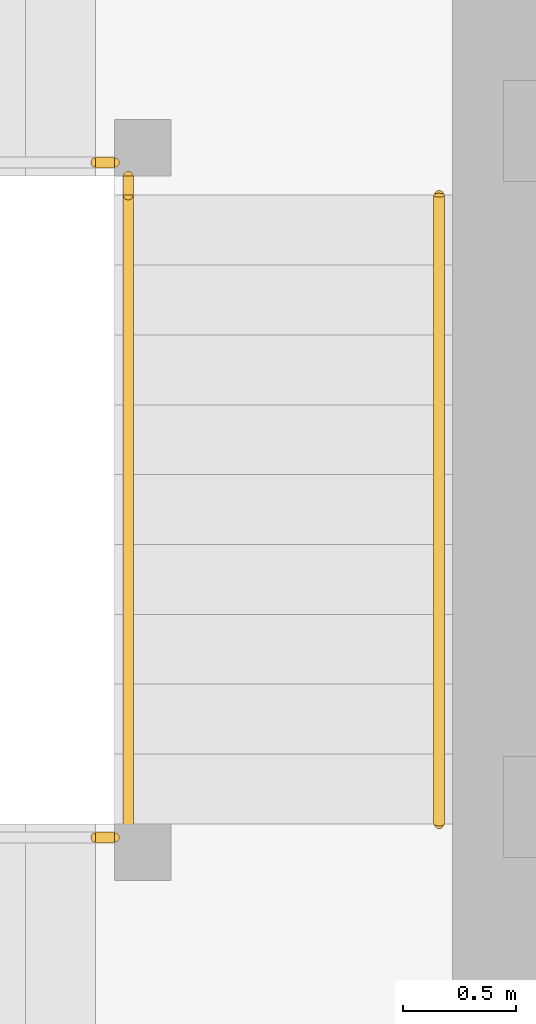
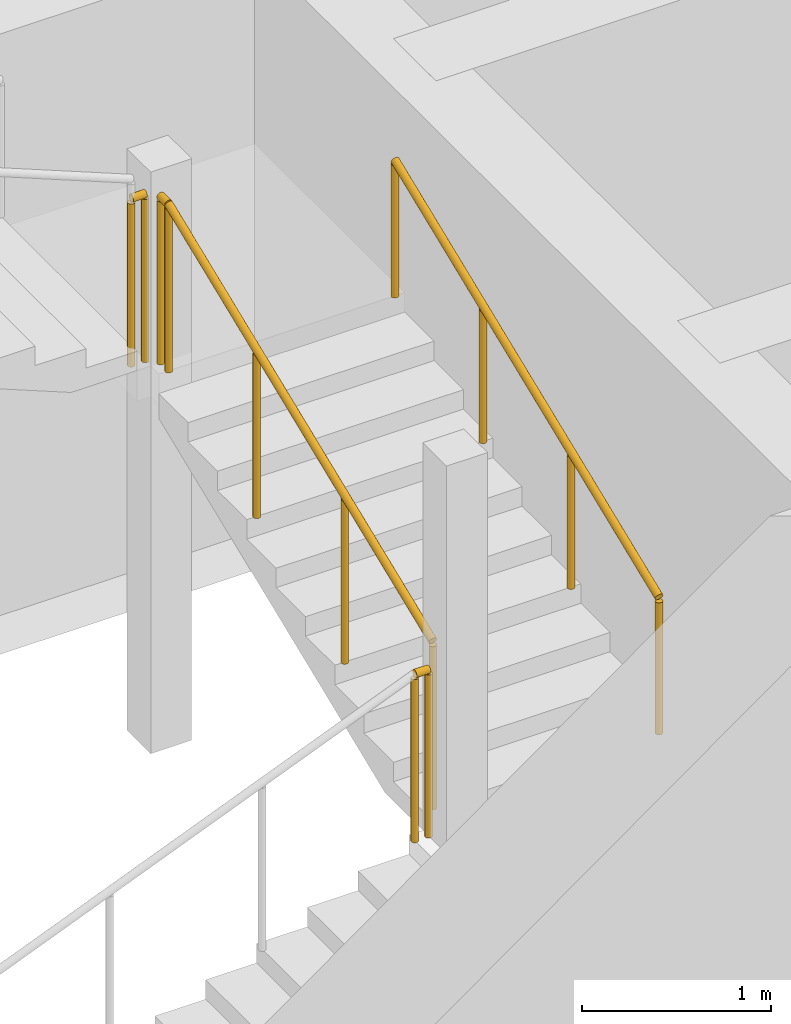
# One storey, part 34 of 38: 5 railings.
"""IFC4 building model written with IfcOpenShell, lengths in metres."""

import ifcopenshell
import ifcopenshell.guid

model = None  # the IFC model being written
_history = None  # IfcOwnerHistory: only IFC2X3 demands one
_inside = {}  # id of a spatial element -> (the spatial element, [elements in it])
_under = {}  # id of a project, library or spatial element -> (it, [spatial elements below it])
_declared = {}  # id of a project -> (the project, [libraries it declares])
_typed = {}  # id of a type object -> (the type object, [elements of that type])
_made_of = {}  # id of a material, layer set ... -> (it, [elements and type objects made of it])


def new_model(schema):
    """Start an empty IFC model of exactly this schema.

    Asked for "IFC4X3", IfcOpenShell would pick the latest addendum, in which some entities
    have other attributes; the version numbers below select the first issue.
    IFC2X3 requires an IfcOwnerHistory on every rooted entity: one is made here for all.
    """
    global model, _history
    if schema == "IFC4X3":
        model = ifcopenshell.file(schema_version=(4, 3, 0, 0))
    else:
        model = ifcopenshell.file(schema=schema)
    _inside.clear()
    _under.clear()
    _declared.clear()
    _typed.clear()
    _made_of.clear()
    _history = None
    if model.schema == "IFC2X3":
        org = make("IfcOrganization", Name="unknown")
        user = make(
            "IfcPersonAndOrganization",
            ThePerson=make("IfcPerson", FamilyName="unknown"),
            TheOrganization=org,
        )
        app = make(
            "IfcApplication",
            ApplicationDeveloper=org,
            Version="unknown",
            ApplicationFullName="unknown",
            ApplicationIdentifier="unknown",
        )
        _history = make(
            "IfcOwnerHistory",
            OwningUser=user,
            OwningApplication=app,
            ChangeAction="ADDED",
            CreationDate=0,
        )
    return model


def make(cls, **values):
    """One entity of the class cls with the attributes given. An attribute that is None is left unset."""
    return model.create_entity(
        cls, **{name: value for name, value in values.items() if value is not None}
    )


def rooted(cls, **values):
    """An entity with a GlobalId (a new one), such as an element, a storey or a relation."""
    return make(cls, GlobalId=ifcopenshell.guid.new(), OwnerHistory=_history, **values)


def si_unit(unit_type, name, prefix=None):
    """IfcSIUnit, for example si_unit("LENGTHUNIT", "METRE", prefix="MILLI")."""
    return make("IfcSIUnit", UnitType=unit_type, Prefix=prefix, Name=name)


def assignment(units):
    """IfcUnitAssignment: the units of a project."""
    return None if units is None else make("IfcUnitAssignment", Units=units)


def point(xyz):
    """IfcCartesianPoint."""
    return None if xyz is None else make("IfcCartesianPoint", Coordinates=xyz)


def direction(xyz):
    """IfcDirection."""
    return None if xyz is None else make("IfcDirection", DirectionRatios=xyz)


def frame(location, z_axis=None, x_axis=None):
    """IfcAxis2Placement3D, a coordinate frame: its origin and axes. An axis left out is left unset."""
    return make(
        "IfcAxis2Placement3D",
        Location=point(location),
        Axis=direction(z_axis),
        RefDirection=direction(x_axis),
    )


def frame_2d(location, x_axis=None):
    """IfcAxis2Placement2D, a coordinate frame in the plane: its origin and x axis."""
    return make(
        "IfcAxis2Placement2D", Location=point(location), RefDirection=direction(x_axis)
    )


def origin():
    """The frame at (0, 0, 0) with its axes left unset."""
    return frame((0.0, 0.0, 0.0))


def origin_2d():
    """The frame at (0, 0) in the plane with its x axis left unset."""
    return frame_2d((0.0, 0.0))


def place(relative_to, where):
    """IfcLocalPlacement: puts the frame where relative to a parent placement (None: the world)."""
    return make(
        "IfcLocalPlacement", PlacementRelTo=relative_to, RelativePlacement=where
    )


def context(
    kind, dimensions, precision=None, world=None, true_north=None, identifier=None
):
    """IfcGeometricRepresentationContext, for example the 3D "Model" context."""
    return make(
        "IfcGeometricRepresentationContext",
        ContextIdentifier=identifier,
        ContextType=kind,
        CoordinateSpaceDimension=dimensions,
        Precision=precision,
        WorldCoordinateSystem=world,
        TrueNorth=true_north,
    )


def subcontext(parent, identifier, kind, view, scale=None):
    """IfcGeometricRepresentationSubContext, for example "Body" below "Model"."""
    return make(
        "IfcGeometricRepresentationSubContext",
        ContextIdentifier=identifier,
        ContextType=kind,
        ParentContext=parent,
        TargetScale=scale,
        TargetView=view,
    )


def project(units=None, contexts=None):
    """IfcProject with its units and contexts."""
    return rooted(
        "IfcProject",
        Name="project",
        RepresentationContexts=contexts,
        UnitsInContext=assignment(units),
    )


def spatial(cls, under=None, at=None, **own):
    """A site, building, storey or space (cls), placed at a placement, below another one or the project."""
    s = rooted(cls, ObjectPlacement=at, **own)
    if under is not None:
        _under.setdefault(under.id(), (under, []))[1].append(s)
    return s


def profile(cls, at=None, kind="AREA", **sizes):
    """A parametric profile (cls). Its sizes go by their IFC names, for example OverallWidth=200.0."""
    return make(cls, ProfileType=kind, Position=at, **sizes)


def circle(**sizes):
    """IfcCircleProfileDef."""
    return profile("IfcCircleProfileDef", **sizes)


def extrude(swept, where, along, depth):
    """IfcExtrudedAreaSolid: the profile swept, set in the frame where, extruded along a direction by depth."""
    return make(
        "IfcExtrudedAreaSolid",
        SweptArea=swept,
        Position=where,
        ExtrudedDirection=direction(along),
        Depth=depth,
    )


def shape(context_of_items, identifier, shape_type, items):
    """IfcShapeRepresentation: the items that make up one representation, for example the "Body"."""
    return make(
        "IfcShapeRepresentation",
        ContextOfItems=context_of_items,
        RepresentationIdentifier=identifier,
        RepresentationType=shape_type,
        Items=items,
    )


def material(Name=None, Category=None):
    """IfcMaterial."""
    return make("IfcMaterial", Name=Name, Category=Category)


def made_of(thing, what):
    """Note that an element or type object is made of a material, layer set ...; save() writes the relation."""
    if what is not None:
        _made_of.setdefault(what.id(), (what, []))[1].append(thing)
    return thing


def type_object(cls, material=None, **own):
    """A type object (cls), such as IfcWallType, which elements share."""
    return made_of(rooted(cls, **own), material)


def element(
    cls,
    number,
    at=None,
    inside=None,
    cuts=None,
    type_object=None,
    material=None,
    context=None,
    identifier="Body",
    shape_type=None,
    held_by="IfcProductDefinitionShape",
    body=None,
    shapes=None,
    **own,
):
    """One element of the class cls, such as IfcWall. Its Tag is "e" and its number.

    at: its placement. inside: the storey or other place that contains it. cuts: it is an
    opening in that element (IfcRelVoidsElement). A single representation is given by context,
    identifier, shape_type and body (its items); several are given by shapes. held_by: the class
    of the entity that holds the representations. save() writes the other relations.
    """
    e = rooted(cls, Tag="e%d" % number, ObjectPlacement=at, **own)
    if body is not None:
        shapes = [shape(context, identifier, shape_type, body)]
    if shapes is not None:
        e.Representation = make(held_by, Representations=shapes)
    if inside is not None:
        _inside.setdefault(inside.id(), (inside, []))[1].append(e)
    if cuts is not None:
        rooted(
            "IfcRelVoidsElement", RelatingBuildingElement=cuts, RelatedOpeningElement=e
        )
    if type_object is not None:
        _typed.setdefault(type_object.id(), (type_object, []))[1].append(e)
    return made_of(e, material)


def aggregate(whole, parts):
    """IfcRelAggregates: a whole, such as a stair, and the parts it consists of."""
    return rooted("IfcRelAggregates", RelatingObject=whole, RelatedObjects=parts)


def save(model, path):
    """Write the relations noted so far, then the file.

    IfcRelAggregates (storeys below a building ...), IfcRelContainedInSpatialStructure (elements
    in a storey), IfcRelDefinesByType, IfcRelAssociatesMaterial and IfcRelDeclares: one each for
    every whole, place, type object, material and project.
    """
    for whole, parts in _under.values():
        aggregate(whole, parts)
    for where, things in _inside.values():
        rooted(
            "IfcRelContainedInSpatialStructure",
            RelatedElements=things,
            RelatingStructure=where,
        )
    for kind, things in _typed.values():
        rooted("IfcRelDefinesByType", RelatedObjects=things, RelatingType=kind)
    for what, things in _made_of.values():
        rooted("IfcRelAssociatesMaterial", RelatedObjects=things, RelatingMaterial=what)
    for by, libraries in _declared.values():
        rooted("IfcRelDeclares", RelatingContext=by, RelatedDefinitions=libraries)
    model.write(path)


model = new_model("IFC4")

# Units and contexts
model_context = context("Model", 3, precision=1e-05, world=origin(), true_north=direction((0.0, 1.0)))
body_context = subcontext(model_context, "Body", "Model", "MODEL_VIEW")
ifc_project = project(units=[si_unit("LENGTHUNIT", "METRE"), si_unit("AREAUNIT", "SQUARE_METRE"), si_unit("VOLUMEUNIT", "CUBIC_METRE"), si_unit("PLANEANGLEUNIT", "RADIAN"), si_unit("MASSUNIT", "GRAM", prefix="KILO")], contexts=[model_context])

# Site, building, storey
site_placement = place(None, origin())
site = spatial("IfcSite", under=ifc_project, at=site_placement, CompositionType="ELEMENT")
building_placement = place(site_placement, origin())
building = spatial("IfcBuilding", under=site, at=building_placement, Name="Rekha Terrace Tower", CompositionType="ELEMENT")
storey_placement = place(building_placement, frame((0.0, 0.0, 159.050048828125)))
storey = spatial("IfcBuildingStorey", under=building, at=storey_placement, Name="L40", CompositionType="ELEMENT", Elevation=159.050048828125)

# Railings
ifc_material_1 = material(Name="Stainless steel balustrade", Category="steel")
railing_type_1 = type_object("IfcRailingType", Name="GR1 1100 stair guard", PredefinedType="GUARDRAIL", material=ifc_material_1)
railing_1_placement = place(storey_placement, frame((30.135009765625, 41.324951171875, 1.375)))
element("IfcRailing", 1, at=railing_1_placement, inside=storey, type_object=railing_type_1, Name="Guard ST4 L40 flight 2", PredefinedType="GUARDRAIL", context=body_context, shape_type="SweptSolid", body=[
    extrude(circle(Radius=0.02392578125, at=origin_2d()), frame((0.0, 0.0, 1.076171875), z_axis=(0.0, 0.927443287984, 0.373963831907), x_axis=(-1.0, 0.0, 0.0)), (0.0, 0.0, 1.0), 3.00830078125),
    extrude(circle(Radius=0.02099609375, at=origin_2d()), origin(), (0.0, 0.0, 1.0), 1.052001953125),
    extrude(circle(Radius=0.02099609375, at=origin_2d()), frame((0.0, 0.929931640625, 0.375)), (0.0, 0.0, 1.0), 1.052001953125),
    extrude(circle(Radius=0.02099609375, at=origin_2d()), frame((0.0, 1.860107421875, 0.75)), (0.0, 0.0, 1.0), 1.052001953125),
    extrude(circle(Radius=0.02099609375, at=origin_2d()), frame((0.0, 2.7900390625, 1.125)), (0.0, 0.0, 1.0), 1.052001953125),
])
railing_2_placement = place(storey_placement, frame((29.989990234375, 41.264892578125, 1.25)))
element("IfcRailing", 2, at=railing_2_placement, inside=storey, type_object=railing_type_1, Name="Guard ST4 L40 landing 1", PredefinedType="GUARDRAIL", context=body_context, shape_type="SweptSolid", body=[
    extrude(circle(Radius=0.02392578125, at=origin_2d()), frame((0.0, 0.0, 1.076171875), z_axis=(1.0, 0.0, 0.0), x_axis=(0.0, 1.0, 0.0)), (0.0, 0.0, 1.0), 0.0849609375),
    extrude(circle(Radius=0.02099609375, at=origin_2d()), origin(), (0.0, 0.0, 1.0), 1.052001953125),
    extrude(circle(Radius=0.02099609375, at=origin_2d()), frame((0.0849609375, 0.0, 0.0)), (0.0, 0.0, 1.0), 1.052001953125),
])
railing_3_placement = place(storey_placement, frame((30.135009765625, 44.114990234375, 2.5)))
element("IfcRailing", 3, at=railing_3_placement, inside=storey, type_object=railing_type_1, Name="Guard ST4 L40 landing 2", PredefinedType="GUARDRAIL", context=body_context, shape_type="SweptSolid", body=[
    extrude(circle(Radius=0.02392578125, at=origin_2d()), frame((0.0, 0.0, 1.076171875), z_axis=(0.0, 1.0, 0.0), x_axis=(-1.0, 0.0, 0.0)), (0.0, 0.0, 1.0), 0.0849609375),
    extrude(circle(Radius=0.02099609375, at=origin_2d()), origin(), (0.0, 0.0, 1.0), 1.052001953125),
    extrude(circle(Radius=0.02099609375, at=origin_2d()), frame((0.0, 0.0849609375, 0.0)), (0.0, 0.0, 1.0), 1.052001953125),
])
railing_4_placement = place(storey_placement, frame((29.989990234375, 44.260009765625, 2.5)))
element("IfcRailing", 4, at=railing_4_placement, inside=storey, type_object=railing_type_1, Name="Guard ST4 L40 landing 3", PredefinedType="GUARDRAIL", context=body_context, shape_type="SweptSolid", body=[
    extrude(circle(Radius=0.02392578125, at=origin_2d()), frame((0.0, 0.0, 1.076171875), z_axis=(1.0, 0.0, 0.0), x_axis=(0.0, 1.0, 0.0)), (0.0, 0.0, 1.0), 0.0849609375),
    extrude(circle(Radius=0.02099609375, at=origin_2d()), origin(), (0.0, 0.0, 1.0), 1.052001953125),
    extrude(circle(Radius=0.02099609375, at=origin_2d()), frame((0.0849609375, 0.0, 0.0)), (0.0, 0.0, 1.0), 1.052001953125),
])
ifc_material_2 = material(Name="Stainless steel tube", Category="steel")
railing_type_2 = type_object("IfcRailingType", Name="HR1 900 stair handrail", PredefinedType="HANDRAIL", material=ifc_material_2)
railing_5_placement = place(storey_placement, frame((31.514892578125, 41.324951171875, 1.375)))
element("IfcRailing", 5, at=railing_5_placement, inside=storey, type_object=railing_type_2, Name="Handrail ST4 L40 flight 2", PredefinedType="HANDRAIL", context=body_context, shape_type="SweptSolid", body=[
    extrude(circle(Radius=0.02392578125, at=origin_2d()), frame((0.0, 0.0, 0.8759765625), z_axis=(0.0, 0.927443287984, 0.373963831907), x_axis=(-1.0, 0.0, 0.0)), (0.0, 0.0, 1.0), 3.00830078125),
    extrude(circle(Radius=0.02099609375, at=origin_2d()), origin(), (0.0, 0.0, 1.0), 0.851806640625),
    extrude(circle(Radius=0.02099609375, at=origin_2d()), frame((0.0, 0.929931640625, 0.375)), (0.0, 0.0, 1.0), 0.851806640625),
    extrude(circle(Radius=0.02099609375, at=origin_2d()), frame((0.0, 1.860107421875, 0.75)), (0.0, 0.0, 1.0), 0.851806640625),
    extrude(circle(Radius=0.02099609375, at=origin_2d()), frame((0.0, 2.7900390625, 1.125)), (0.0, 0.0, 1.0), 0.851806640625),
])

save(model, "model.ifc")
